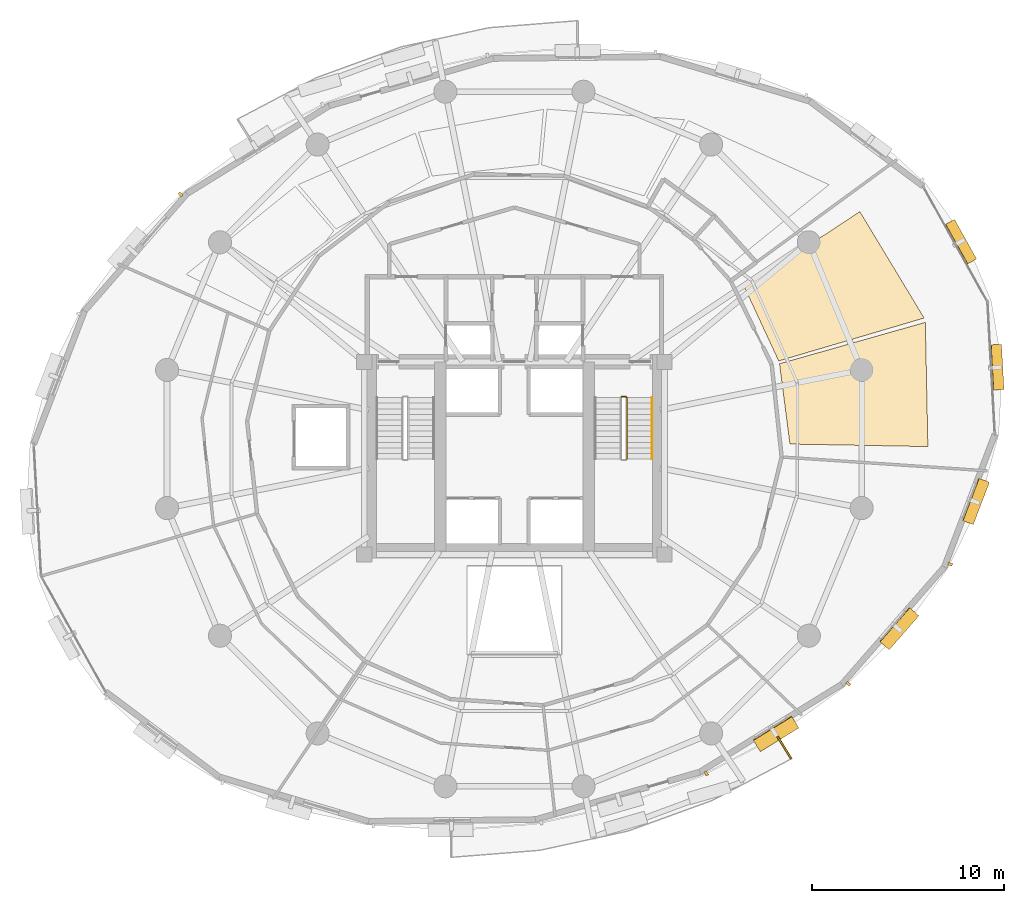
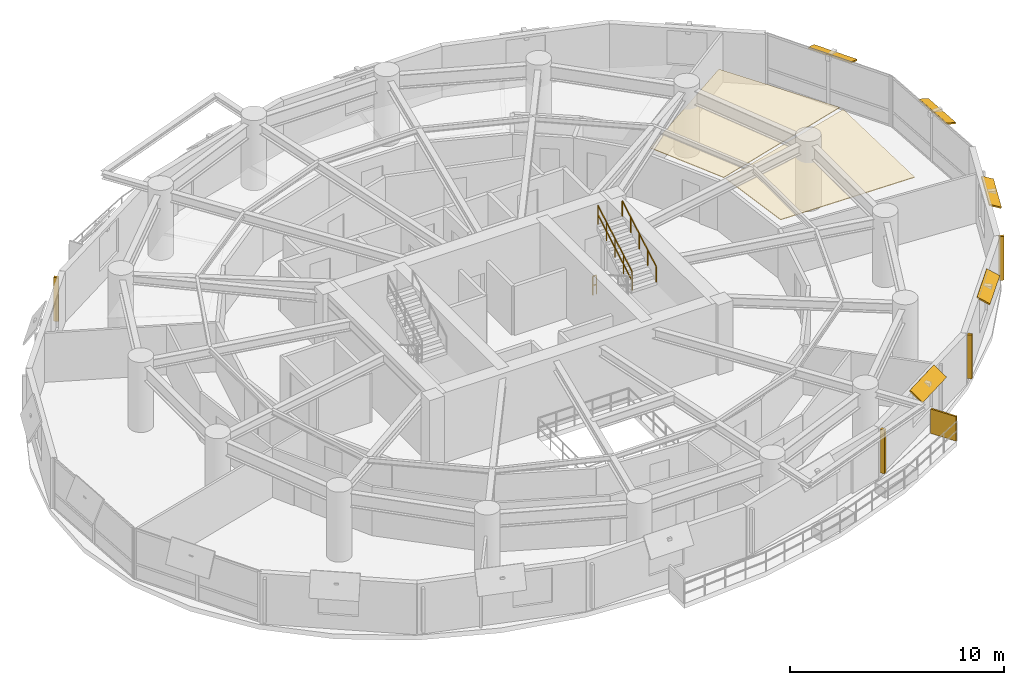
# One storey, part 14 of 15: 10 shading devices, 3 railings, 2 coverings.
"""IFC4 building model written with IfcOpenShell, lengths in metres."""

from ifc_helpers import new_model, si_unit, direction, frame, origin, origin_2d, place, context, subcontext, project, spatial, polyline, rectangle, outline, extrude, material, layer, layer_set, type_object, element, save


model = new_model("IFC4")

# Units and contexts
model_context = context("Model", 3, precision=1e-05, world=origin(), true_north=direction((0.0, 1.0)))
body_context = subcontext(model_context, "Body", "Model", "MODEL_VIEW")
ifc_project = project(units=[si_unit("LENGTHUNIT", "METRE"), si_unit("AREAUNIT", "SQUARE_METRE"), si_unit("VOLUMEUNIT", "CUBIC_METRE"), si_unit("PLANEANGLEUNIT", "RADIAN"), si_unit("MASSUNIT", "GRAM", prefix="KILO"), si_unit("THERMODYNAMICTEMPERATUREUNIT", "KELVIN"), si_unit("POWERUNIT", "WATT")], contexts=[model_context])

# Site, building, storey
site_placement = place(None, origin())
site = spatial("IfcSite", under=ifc_project, at=site_placement, CompositionType="ELEMENT")
building_placement = place(site_placement, origin())
building = spatial("IfcBuilding", under=site, at=building_placement, Name="Ocrelia Relay Tower", CompositionType="ELEMENT")
storey_placement = place(building_placement, frame((0.0, 0.0, 101.800048828125)))
storey = spatial("IfcBuildingStorey", under=building, at=storey_placement, Name="L23", CompositionType="ELEMENT", Elevation=101.800048828125)

# Coverings
ifc_material_1 = material(Name="Cleanroom metal-pan acoustic ceiling", Category="aluminium")
ifc_layer_1 = layer(ifc_material_1, 0.0400390625, Name="Cleanroom metal-pan acoustic ceiling")
ifc_layer_set_1 = layer_set([ifc_layer_1], Name="Cleanroom metal-pan acoustic ceiling")
covering_type = type_object("IfcCoveringType", Name="COV-CEIL-CLEAN", PredefinedType="CEILING", material=ifc_layer_set_1)
covering_1_placement = place(storey_placement, frame((0.0, 0.0, 2.719970703125)))
element("IfcCovering", 1, at=covering_1_placement, inside=storey, type_object=covering_type, Name="L23 Optical Telemetry Studio Suspended Ceiling 1", PredefinedType="CEILING", context=body_context, shape_type="SweptSolid", body=[
    extrude(outline(polyline([(48.317626953125, 25.737548828125), (55.4873046875, 25.606201171875), (55.355712890625, 32.063232421875), (47.775634765625, 29.9111328125), (48.317626953125, 25.737548828125)])), origin(), (0.0, 0.0, 1.0), 0.0400390625),
])
covering_2_placement = place(storey_placement, frame((0.0, 0.0, 2.719970703125)))
element("IfcCovering", 2, at=covering_2_placement, inside=storey, type_object=covering_type, Name="L23 Optical Telemetry Studio Suspended Ceiling 2", PredefinedType="CEILING", context=body_context, shape_type="SweptSolid", body=[
    extrude(outline(polyline([(47.73388671875, 30.05517578125), (55.291015625, 32.28662109375), (51.951904296875, 37.814697265625), (45.9619140625, 33.872314453125), (47.73388671875, 30.05517578125)])), origin(), (0.0, 0.0, 1.0), 0.0400390625),
])

# Railings
ifc_material_2 = material(Name="Steel S355 balustrade", Category="steel")
railing_type_1 = type_object("IfcRailingType", Name="RL-STAIR-GUARD", PredefinedType="GUARDRAIL", material=ifc_material_2)
railing_1_placement = place(storey_placement, frame((39.830078125, 24.9599609375, 2.16650390625)))
element("IfcRailing", 3, at=railing_1_placement, inside=storey, type_object=railing_type_1, Name="L23 ST2 stair guard 3", PredefinedType="GUARDRAIL", context=body_context, shape_type="SweptSolid", body=[
    extrude(rectangle(XDim=0.048095703125, YDim=0.048095703125, at=origin_2d()), frame((0.0, 0.0, 1.076171875), z_axis=(0.0, 0.86699087805, 0.498324008431), x_axis=(-1.0, 0.0, 0.0)), (0.0, 0.0, 1.0), 3.679443359375),
    extrude(rectangle(XDim=0.048095703125, YDim=0.048095703125, at=origin_2d()), frame((0.0, 0.0, 0.550048828125), z_axis=(0.0, 0.86699087805, 0.498324008431), x_axis=(-1.0, 0.0, 0.0)), (0.0, 0.0, 1.0), 3.679443359375),
    extrude(rectangle(XDim=0.0419921875, YDim=0.0419921875, at=origin_2d()), origin(), (0.0, 0.0, 1.0), 1.052001953125),
    extrude(rectangle(XDim=0.0419921875, YDim=0.0419921875, at=origin_2d()), frame((0.0, 0.79736328125, 0.45849609375)), (0.0, 0.0, 1.0), 1.052001953125),
    extrude(rectangle(XDim=0.0419921875, YDim=0.0419921875, at=origin_2d()), frame((0.0, 1.594970703125, 0.916748046875)), (0.0, 0.0, 1.0), 1.052001953125),
    extrude(rectangle(XDim=0.0419921875, YDim=0.0419921875, at=origin_2d()), frame((0.0, 2.392578125, 1.375)), (0.0, 0.0, 1.0), 1.052001953125),
    extrude(rectangle(XDim=0.0419921875, YDim=0.0419921875, at=origin_2d()), frame((0.0, 3.18994140625, 1.83349609375)), (0.0, 0.0, 1.0), 1.052001953125),
])
railing_2_placement = place(storey_placement, frame((39.580078125, 28.199951171875, 0.0)))
element("IfcRailing", 4, at=railing_2_placement, inside=storey, type_object=railing_type_1, Name="L23 ST2 stair guard 4", PredefinedType="GUARDRAIL", context=body_context, shape_type="SweptSolid", body=[
    extrude(rectangle(XDim=0.048095703125, YDim=0.048095703125, at=origin_2d()), frame((0.0, 0.0, 1.076171875), z_axis=(1.0, 0.0, 0.0), x_axis=(0.0, 1.0, 0.0)), (0.0, 0.0, 1.0), 0.199951171875),
    extrude(rectangle(XDim=0.048095703125, YDim=0.048095703125, at=origin_2d()), frame((0.0, 0.0, 0.550048828125), z_axis=(1.0, 0.0, 0.0), x_axis=(0.0, 1.0, 0.0)), (0.0, 0.0, 1.0), 0.199951171875),
    extrude(rectangle(XDim=0.0419921875, YDim=0.0419921875, at=origin_2d()), origin(), (0.0, 0.0, 1.0), 1.052001953125),
    extrude(rectangle(XDim=0.0419921875, YDim=0.0419921875, at=origin_2d()), frame((0.199951171875, 0.0, 0.0)), (0.0, 0.0, 1.0), 1.052001953125),
])
ifc_material_3 = material(Name="Steel S355 tubular handrail", Category="steel")
railing_type_2 = type_object("IfcRailingType", Name="RL-STAIR-HAND", PredefinedType="HANDRAIL", material=ifc_material_3)
railing_3_placement = place(storey_placement, frame((41.14990234375, 24.9599609375, 2.16650390625)))
element("IfcRailing", 5, at=railing_3_placement, inside=storey, type_object=railing_type_2, Name="L23 ST2 stair handrail 2", PredefinedType="HANDRAIL", context=body_context, shape_type="SweptSolid", body=[
    extrude(rectangle(XDim=0.048095703125, YDim=0.048095703125, at=origin_2d()), frame((0.0, 0.0, 0.8759765625), z_axis=(0.0, 0.86699087805, 0.498324008431), x_axis=(-1.0, 0.0, 0.0)), (0.0, 0.0, 1.0), 3.679443359375),
    extrude(rectangle(XDim=0.0419921875, YDim=0.0419921875, at=origin_2d()), origin(), (0.0, 0.0, 1.0), 0.851806640625),
    extrude(rectangle(XDim=0.0419921875, YDim=0.0419921875, at=origin_2d()), frame((0.0, 0.79736328125, 0.45849609375)), (0.0, 0.0, 1.0), 0.851806640625),
    extrude(rectangle(XDim=0.0419921875, YDim=0.0419921875, at=origin_2d()), frame((0.0, 1.594970703125, 0.916748046875)), (0.0, 0.0, 1.0), 0.851806640625),
    extrude(rectangle(XDim=0.0419921875, YDim=0.0419921875, at=origin_2d()), frame((0.0, 2.392578125, 1.375)), (0.0, 0.0, 1.0), 0.851806640625),
    extrude(rectangle(XDim=0.0419921875, YDim=0.0419921875, at=origin_2d()), frame((0.0, 3.18994140625, 1.83349609375)), (0.0, 0.0, 1.0), 0.851806640625),
])

# Shading devices
ifc_material_4 = material(Name="Perforated oxide terracotta solar screen", Category="masonry")
ifc_layer_2 = layer(ifc_material_4, 0.090087890625, Name="Perforated oxide terracotta solar screen")
ifc_layer_set_2 = layer_set([ifc_layer_2], Name="Perforated oxide terracotta solar screen")
shading_device_type_1 = type_object("IfcShadingDeviceType", Name="SH-BALC-SCREEN", PredefinedType="USERDEFINED", material=ifc_layer_set_2)
shading_device_1_placement = place(storey_placement, frame((48.0341796875, 9.965087890625, 0.0), z_axis=(0.0, 0.0, 1.0), x_axis=(0.527041268074, -0.849839691793, 0.0)))
element("IfcShadingDevice", 6, at=shading_device_1_placement, inside=storey, type_object=shading_device_type_1, Name="L23 Balcony Perforated Terracotta Screen B2-2", ObjectType="SCREEN", PredefinedType="USERDEFINED", context=body_context, shape_type="SweptSolid", body=[
    extrude(rectangle(XDim=1.340087890625, YDim=0.090087890625, at=origin_2d()), origin(), (0.0, 0.0, 1.0), 1.39990234375),
])
ifc_material_5 = material(Name="Extruded oxide terracotta vertical baguette", Category="masonry")
shading_device_type_2 = type_object("IfcShadingDeviceType", Name="SH-TERR-BAGUETTE", PredefinedType="USERDEFINED", material=ifc_material_5)
for number, where, z_axis, x_axis, name in (
    (7, (16.652587890625, 38.71435546875, 0.199951171875), (0.0, 0.0, 1.0), (-0.657794171165, -0.753197735247, 0.0), "L23 Oxide Terracotta Vertical Baguette 07"),
    (8, (43.964111328125, 8.62646484375, 0.199951171875), (0.0, 0.0, 1.0), (0.850619040717, 0.525782509761, 0.0), "L23 Oxide Terracotta Vertical Baguette 15"),
    (9, (51.347412109375, 13.28564453125, 0.199951171875), (0.0, 0.0, 1.0), (0.657794171165, 0.753197735247, 0.0), "L23 Oxide Terracotta Vertical Baguette 16"),
    (10, (56.6416015625, 19.49560546875, 0.199951171875), (0.0, 0.0, 1.0), (0.356237500626, 0.934395442598, 0.0), "L23 Oxide Terracotta Vertical Baguette 17"),
):
    element("IfcShadingDevice", number, at=place(storey_placement, frame(where, z_axis=z_axis, x_axis=x_axis)), inside=storey, type_object=shading_device_type_2, Name=name, ObjectType="BAGUETTE", PredefinedType="USERDEFINED", context=body_context, shape_type="SweptSolid", body=[
        extrude(rectangle(XDim=0.139892578125, YDim=0.239990234375, at=origin_2d()), origin(), (0.0, 0.0, 1.0), 2.5),
    ])
ifc_material_6 = material(Name="Extruded oxide terracotta fin", Category="masonry")
ifc_layer_3 = layer(ifc_material_6, 0.080078125, Name="Extruded oxide terracotta fin")
ifc_layer_set_3 = layer_set([ifc_layer_3], Name="Extruded oxide terracotta fin")
shading_device_type_3 = type_object("IfcShadingDeviceType", Name="SH-VISOR-FIN-MED", PredefinedType="USERDEFINED", material=ifc_layer_set_3)
shading_device_2_placement = place(storey_placement, frame((47.576904296875, 10.70068359375, 2.707275390625), z_axis=(0.302702982485, -0.48971754633, 0.817647619217), x_axis=(0.850619040717, 0.525782509761, 0.0)))
element("IfcShadingDevice", 11, at=shading_device_2_placement, inside=storey, type_object=shading_device_type_3, Name="L23 Canted Terracotta Sun-Visor Fin 15", ObjectType="FIN", PredefinedType="USERDEFINED", context=body_context, shape_type="SweptSolid", body=[
    extrude(rectangle(XDim=2.35009765625, YDim=0.8359375, at=origin_2d()), origin(), (0.0, 0.0, 1.0), 0.080078125),
])
ifc_layer_4 = layer(ifc_material_6, 0.080078125, Name="Extruded oxide terracotta fin")
ifc_layer_set_4 = layer_set([ifc_layer_4], Name="Extruded oxide terracotta fin")
shading_device_type_4 = type_object("IfcShadingDeviceType", Name="SH-VISOR-FIN-SHAL", PredefinedType="USERDEFINED", material=ifc_layer_set_4)
shading_device_3_placement = place(storey_placement, frame((57.1923828125, 36.246337890625, 2.701904296875), z_axis=(0.269960827907, 0.150375045165, 0.951056516295), x_axis=(-0.486623868273, 0.873611590369, 0.0)))
element("IfcShadingDevice", 12, at=shading_device_3_placement, inside=storey, type_object=shading_device_type_4, Name="L23 Canted Terracotta Sun-Visor Fin 01", ObjectType="FIN", PredefinedType="USERDEFINED", context=body_context, shape_type="SweptSolid", body=[
    extrude(rectangle(XDim=2.35009765625, YDim=0.550048828125, at=origin_2d()), origin(), (0.0, 0.0, 1.0), 0.080078125),
])
shading_device_4_placement = place(storey_placement, frame((53.984375, 16.159423828125, 2.704345703125), z_axis=(0.341593180088, -0.298325382905, 0.89124411091), x_axis=(0.657794171165, 0.753197735247, 0.0)))
element("IfcShadingDevice", 13, at=shading_device_4_placement, inside=storey, type_object=shading_device_type_4, Name="L23 Canted Terracotta Sun-Visor Fin 16", ObjectType="FIN", PredefinedType="USERDEFINED", context=body_context, shape_type="SweptSolid", body=[
    extrude(rectangle(XDim=2.35009765625, YDim=0.699951171875, at=origin_2d()), origin(), (0.0, 0.0, 1.0), 0.080078125),
])
shading_device_5_placement = place(storey_placement, frame((57.97119140625, 22.763671875, 2.702880859375), z_axis=(0.347004413066, -0.132295149549, 0.928485826881), x_axis=(0.356237500626, 0.934395442598, 0.0)))
element("IfcShadingDevice", 14, at=shading_device_5_placement, inside=storey, type_object=shading_device_type_4, Name="L23 Canted Terracotta Sun-Visor Fin 17", ObjectType="FIN", PredefinedType="USERDEFINED", context=body_context, shape_type="SweptSolid", body=[
    extrude(rectangle(XDim=2.35009765625, YDim=0.613037109375, at=origin_2d()), origin(), (0.0, 0.0, 1.0), 0.080078125),
])
shading_device_6_placement = place(storey_placement, frame((59.082763671875, 29.732666015625, 2.7021484375), z_axis=(0.3249018138, 0.018055619472, 0.94557538356), x_axis=(-0.055486927026, 0.998459413762, 0.0)))
element("IfcShadingDevice", 15, at=shading_device_6_placement, inside=storey, type_object=shading_device_type_4, Name="L23 Canted Terracotta Sun-Visor Fin 18", ObjectType="FIN", PredefinedType="USERDEFINED", context=body_context, shape_type="SweptSolid", body=[
    extrude(rectangle(XDim=2.35009765625, YDim=0.56689453125, at=origin_2d()), origin(), (0.0, 0.0, 1.0), 0.080078125),
])

save(model, "model.ifc")
